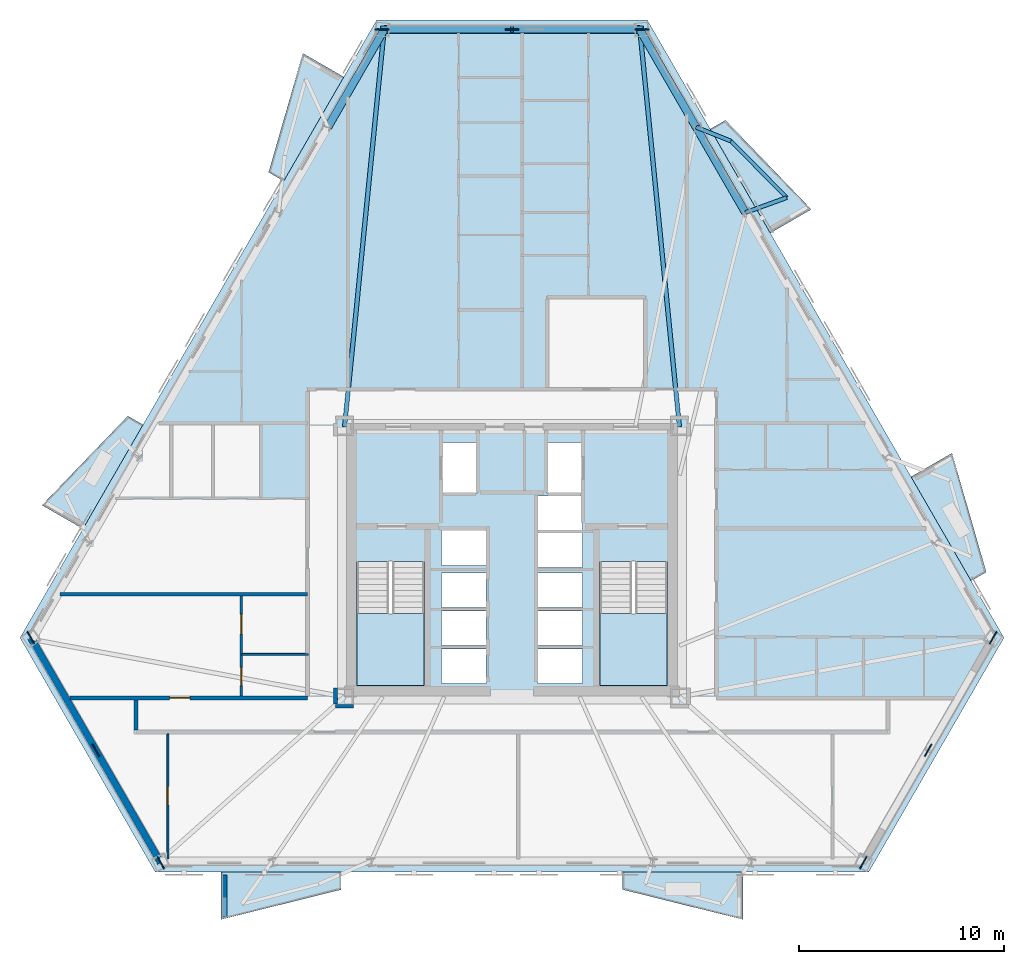
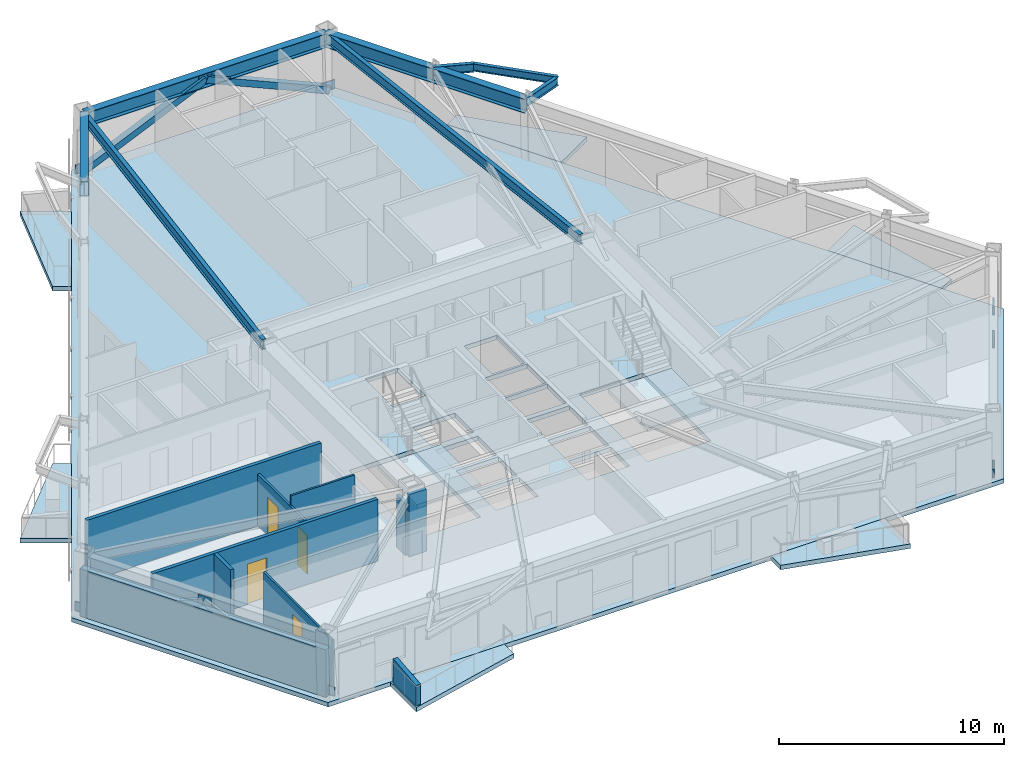
# One storey, part 2 of 11: 10 walls, 9 beams, 9 plates, 9 slabs, 4 doors, 2 members, 4 openings, 2 elements without a shape of their own.
"""IFC4 building model written with IfcOpenShell, lengths in metres."""

from ifc_helpers import new_model, si_unit, direction, frame, frame_2d, origin, origin_2d, place, context, subcontext, project, spatial, polyline, rectangle, hollow_rectangle, i_section, outline, extrude, material, layer, layer_set, material_profile, profile_set, type_object, element, fill, aggregate, save


model = new_model("IFC4")

# Units and contexts
model_context = context("Model", 3, precision=1e-05, world=origin(), true_north=direction((0.0, 1.0)))
body_context = subcontext(model_context, "Body", "Model", "MODEL_VIEW")
ifc_project = project(units=[si_unit("LENGTHUNIT", "METRE"), si_unit("AREAUNIT", "SQUARE_METRE"), si_unit("VOLUMEUNIT", "CUBIC_METRE"), si_unit("PLANEANGLEUNIT", "RADIAN"), si_unit("MASSUNIT", "GRAM", prefix="KILO")], contexts=[model_context])

# Site, building, storey
site_placement = place(None, origin())
site = spatial("IfcSite", under=ifc_project, at=site_placement, CompositionType="ELEMENT")
building_placement = place(site_placement, origin())
building = spatial("IfcBuilding", under=site, at=building_placement, Name="Oramaril Tower", CompositionType="ELEMENT")
storey_placement = place(building_placement, frame((0.0, 0.0, 86.10009765625)))
storey = spatial("IfcBuildingStorey", under=building, at=storey_placement, Name="L22", CompositionType="ELEMENT", Elevation=86.10009765625)

# Beams
ifc_material_1 = material(Name="Steel ASTM A572 Gr 50", Category="steel")
ifc_material_profile_1 = material_profile(ifc_material_1, i_section(OverallWidth=0.19091796875, OverallDepth=0.45703125, WebThickness=0.009033203125, FlangeThickness=0.014404296875, at=origin_2d()), Name="W18X50")
ifc_profile_set_1 = profile_set([ifc_material_profile_1], Name="Steel ASTM A572 Gr 50")
beam_type_1 = type_object("IfcBeamType", Name="BT-BB1", PredefinedType="BEAM", material=ifc_profile_set_1)
beam_1_placement = place(storey_placement, frame((48.86376953125, 34.576171875, 3.13134765625), z_axis=(0.940066163611, 0.3409920938, 0.0), x_axis=(-0.3409920938, 0.940066163611, 0.0)))
element("IfcBeam", 1, at=beam_1_placement, inside=storey, type_object=beam_type_1, Name="L22 Balcony Column-Framed Cantilever 04.1", PredefinedType="BEAM", context=body_context, shape_type="SweptSolid", body=[
    extrude(i_section(OverallWidth=0.19091796875, OverallDepth=0.45703125, WebThickness=0.009033203125, FlangeThickness=0.014404296875, at=origin_2d()), origin(), (0.0, 0.0, 1.0), 2.140869140625),
])
beam_2_placement = place(storey_placement, frame((46.464599609375, 38.731689453125, 3.13134765625), z_axis=(0.929095244804, -0.369840541427, 0.0), x_axis=(0.369840541427, 0.929095244804, 0.0)))
element("IfcBeam", 2, at=beam_2_placement, inside=storey, type_object=beam_type_1, Name="L22 Balcony Column-Framed Cantilever 04.2", PredefinedType="BEAM", context=body_context, shape_type="SweptSolid", body=[
    extrude(i_section(OverallWidth=0.19091796875, OverallDepth=0.45703125, WebThickness=0.009033203125, FlangeThickness=0.014404296875, at=origin_2d()), origin(), (0.0, 0.0, 1.0), 1.820068359375),
])
ifc_material_2 = material(Name="Steel ASTM A572 Gr 50", Category="steel")
ifc_material_profile_2 = material_profile(ifc_material_2, i_section(OverallWidth=0.2099609375, OverallDepth=0.535888671875, WebThickness=0.010986328125, FlangeThickness=0.017333984375, at=origin_2d()), Name="W21X68")
ifc_profile_set_2 = profile_set([ifc_material_profile_2], Name="Steel ASTM A572 Gr 50")
beam_type_2 = type_object("IfcBeamType", Name="BT-FB2", PredefinedType="BEAM", material=ifc_profile_set_2)
for number, where, z_axis, x_axis, name in (
    (3, (45.64990234375, 24.14990234375, 3.091796875), (-0.099217532618, 0.995065767284, 0.0), (-0.995065767284, -0.099217532618, 0.0), "L22 Radial Primary Beam RB-05"),
    (4, (29.35009765625, 24.14990234375, 3.091796875), (0.099217532618, 0.995065767284, 0.0), (-0.995065767284, 0.099217532618, 0.0), "L22 Radial Primary Beam RB-06"),
):
    element("IfcBeam", number, at=place(storey_placement, frame(where, z_axis=z_axis, x_axis=x_axis)), inside=storey, type_object=beam_type_2, Name=name, PredefinedType="BEAM", context=body_context, shape_type="SweptSolid", body=[
        extrude(i_section(OverallWidth=0.2099609375, OverallDepth=0.535888671875, WebThickness=0.010986328125, FlangeThickness=0.017333984375, at=origin_2d()), origin(), (0.0, 0.0, 1.0), 19.427001953125),
    ])
ifc_material_3 = material(Name="Steel ASTM A572 Gr 50", Category="steel")
ifc_material_profile_3 = material_profile(ifc_material_3, i_section(OverallWidth=0.177978515625, OverallDepth=0.404052734375, WebThickness=0.007568359375, FlangeThickness=0.010986328125, at=origin_2d()), Name="W16X36")
ifc_profile_set_3 = profile_set([ifc_material_profile_3], Name="Steel ASTM A572 Gr 50")
beam_type_3 = type_object("IfcBeamType", Name="BT-SB1", PredefinedType="BEAM", material=ifc_profile_set_3)
beam_3_placement = place(storey_placement, frame((50.876220703125, 35.30615234375, 3.157958984375), z_axis=(-0.702994511648, 0.71119527318, 0.0), x_axis=(-0.71119527318, -0.702994511648, 0.0)))
element("IfcBeam", 5, at=beam_3_placement, inside=storey, type_object=beam_type_3, Name="L22 Balcony Edge Tie Beam 04", PredefinedType="BEAM", context=body_context, shape_type="SweptSolid", body=[
    extrude(i_section(OverallWidth=0.177978515625, OverallDepth=0.404052734375, WebThickness=0.007568359375, FlangeThickness=0.010986328125, at=origin_2d()), origin(), (0.0, 0.0, 1.0), 3.8701171875),
])
ifc_material_4 = material(Name="Steel ASTM A572 Gr 50", Category="steel")
ifc_material_profile_4 = material_profile(ifc_material_4, i_section(OverallWidth=0.381103515625, OverallDepth=0.77197265625, WebThickness=0.0166015625, FlangeThickness=0.027099609375, at=origin_2d()), Name="W30X173")
ifc_profile_set_4 = profile_set([ifc_material_profile_4], Name="Steel ASTM A572 Gr 50")
beam_type_4 = type_object("IfcBeamType", Name="BT-SP2", PredefinedType="SPANDREL", material=ifc_profile_set_4)
beam_4_placement = place(storey_placement, frame((48.86376953125, 34.576171875, 2.973876953125), z_axis=(-0.499996987961, 0.866027142779, 0.0), x_axis=(-0.866027142779, -0.499996987961, 0.0)))
element("IfcBeam", 6, at=beam_4_placement, inside=storey, type_object=beam_type_4, Name="L22 Perimeter Spandrel 11", PredefinedType="SPANDREL", context=body_context, shape_type="SweptSolid", body=[
    extrude(i_section(OverallWidth=0.381103515625, OverallDepth=0.77197265625, WebThickness=0.0166015625, FlangeThickness=0.027099609375, at=origin_2d()), origin(), (0.0, 0.0, 1.0), 4.79833984375),
])
beam_5_placement = place(storey_placement, frame((46.464599609375, 38.731689453125, 2.973876953125), z_axis=(-0.500026884667, 0.866009881359, 0.0), x_axis=(-0.866009881359, -0.500026884667, 0.0)))
element("IfcBeam", 7, at=beam_5_placement, inside=storey, type_object=beam_type_4, Name="L22 Perimeter Spandrel 12", PredefinedType="SPANDREL", context=body_context, shape_type="SweptSolid", body=[
    extrude(i_section(OverallWidth=0.381103515625, OverallDepth=0.77197265625, WebThickness=0.0166015625, FlangeThickness=0.027099609375, at=origin_2d()), origin(), (0.0, 0.0, 1.0), 5.484130859375),
])
beam_6_placement = place(storey_placement, frame((43.722412109375, 43.48095703125, 2.973876953125), z_axis=(-1.0, 0.0, 0.0), x_axis=(0.0, -1.0, 0.0)))
element("IfcBeam", 8, at=beam_6_placement, inside=storey, type_object=beam_type_4, Name="L22 Perimeter Spandrel 13", PredefinedType="SPANDREL", context=body_context, shape_type="SweptSolid", body=[
    extrude(i_section(OverallWidth=0.381103515625, OverallDepth=0.77197265625, WebThickness=0.0166015625, FlangeThickness=0.027099609375, at=origin_2d()), origin(), (0.0, 0.0, 1.0), 12.44482421875),
])
beam_7_placement = place(storey_placement, frame((31.277587890625, 43.48095703125, 2.973876953125), z_axis=(-0.500026884667, -0.866009881359, 0.0), x_axis=(0.866009881359, -0.500026884667, 0.0)))
element("IfcBeam", 9, at=beam_7_placement, inside=storey, type_object=beam_type_4, Name="L22 Perimeter Spandrel 14", PredefinedType="SPANDREL", context=body_context, shape_type="SweptSolid", body=[
    extrude(i_section(OverallWidth=0.381103515625, OverallDepth=0.77197265625, WebThickness=0.0166015625, FlangeThickness=0.027099609375, at=origin_2d()), origin(), (0.0, 0.0, 1.0), 5.484130859375),
])

# Members
ifc_material_5 = material(Name="Steel ASTM A572 Gr 50", Category="steel")
ifc_material_profile_5 = material_profile(ifc_material_5, hollow_rectangle(XDim=0.35009765625, YDim=0.35009765625, WallThickness=0.01611328125, at=origin_2d()), Name="HSS350X350X16")
ifc_profile_set_5 = profile_set([ifc_material_profile_5], Name="Steel ASTM A572 Gr 50")
member_type = type_object("IfcMemberType", Name="MT-KB1", PredefinedType="BRACE", material=ifc_profile_set_5)
for number, where, z_axis, x_axis, name in (
    (10, (43.8212890625, 43.490478515625, 0.179931640625), (-0.914642865689, 0.0, 0.404262820753), (0.0, -1.0, 0.0), "L22 Perimeter Chevron Brace KB-3A"),
    (11, (31.1787109375, 43.490478515625, 0.179931640625), (0.914642865689, 0.0, 0.404262820753), (0.0, 1.0, 0.0), "L22 Perimeter Chevron Brace KB-3B"),
):
    element("IfcMember", number, at=place(storey_placement, frame(where, z_axis=z_axis, x_axis=x_axis)), inside=storey, type_object=member_type, Name=name, PredefinedType="BRACE", context=body_context, shape_type="SweptSolid", body=[
        extrude(hollow_rectangle(XDim=0.35009765625, YDim=0.35009765625, WallThickness=0.01611328125, at=origin_2d()), origin(), (0.0, 0.0, 1.0), 6.9111328125),
    ])

# Plates
ifc_material_6 = material(Name="Steel ASTM A572 Gr 50", Category="steel")
ifc_layer_1 = layer(ifc_material_6, 0.06005859375)
ifc_layer_set_1 = layer_set([ifc_layer_1], Name="PLT-G60")
plate_type = type_object("IfcPlateType", Name="PLT-G60", PredefinedType="USERDEFINED", material=ifc_layer_set_1)
for number, where, z_axis, x_axis, name in (
    (12, (17.243408203125, 8.40478515625, 2.73388671875), (0.0, 0.0, 1.0), (0.499996976998, -0.866027149108, 0.0), "L22 Chevron Brace Gusset Plate BN-1"),
    (13, (14.082763671875, 13.87939453125, 0.099853515625), (0.0, 0.0, 1.0), (0.499996976998, -0.866027149108, 0.0), "L22 Chevron Brace Gusset Plate BN-1"),
    (14, (20.404052734375, 2.930419921875, 0.099853515625), (0.0, 0.0, 1.0), (0.499996976998, -0.866027149108, 0.0), "L22 Chevron Brace Gusset Plate BN-1"),
    (15, (57.756591796875, 8.40478515625, 2.73388671875), (0.0, 0.0, 1.0), (0.499996976998, 0.866027149108, 0.0), "L22 Chevron Brace Gusset Plate BN-1"),
    (16, (54.595947265625, 2.930419921875, 0.099853515625), (0.0, 0.0, 1.0), (0.499996976998, 0.866027149108, 0.0), "L22 Chevron Brace Gusset Plate BN-1"),
    (17, (60.917236328125, 13.87939453125, 0.099853515625), (0.0, 0.0, 1.0), (0.499996976998, 0.866027149108, 0.0), "L22 Chevron Brace Gusset Plate BN-1"),
    (18, (37.5, 43.490478515625, 2.73388671875), (0.0, 0.0, 1.0), (-1.0, 0.0, 0.0), "L22 Chevron Brace Gusset Plate BN-1"),
    (19, (43.8212890625, 43.490478515625, 0.099853515625), (0.0, 0.0, 1.0), (-1.0, 0.0, 0.0), "L22 Chevron Brace Gusset Plate BN-1"),
    (20, (31.1787109375, 43.490478515625, 0.099853515625), (0.0, 0.0, 1.0), (-1.0, 0.0, 0.0), "L22 Chevron Brace Gusset Plate BN-1"),
):
    element("IfcPlate", number, at=place(storey_placement, frame(where, z_axis=z_axis, x_axis=x_axis)), inside=storey, type_object=plate_type, Name=name, ObjectType="GUSSET", PredefinedType="USERDEFINED", context=body_context, shape_type="SweptSolid", body=[
        extrude(rectangle(XDim=0.679931640625, YDim=0.06005859375, at=origin_2d()), origin(), (0.0, 0.0, 1.0), 0.47998046875),
    ])

# Slabs
ifc_material_7 = material(Name="Concrete C40/50", Category="concrete")
ifc_layer_2 = layer(ifc_material_7, 0.199951171875)
ifc_layer_set_2 = layer_set([ifc_layer_2], Name="SLT-BAL20")
slab_type_1 = type_object("IfcSlabType", Name="SLT-BAL20", PredefinedType="FLOOR", material=ifc_layer_set_2)
slab_1_placement = place(storey_placement, frame((0.0, 0.0, -0.239990234375)))
element("IfcSlab", 21, at=slab_1_placement, inside=storey, type_object=slab_type_1, Name="L22 Cantilevered Balcony Slab L22-BAL-S1", PredefinedType="FLOOR", context=body_context, shape_type="SweptSolid", body=[
    extrude(outline(polyline([(23.33837890625, 2.472412109375), (29.1884765625, 2.472412109375), (29.1884765625, 1.620361328125), (23.33837890625, 0.17041015625), (23.33837890625, 2.472412109375)])), origin(), (0.0, 0.0, 1.0), 0.239990234375),
])
slab_2_placement = place(storey_placement, frame((0.0, 0.0, -0.239990234375)))
element("IfcSlab", 22, at=slab_2_placement, inside=storey, type_object=slab_type_1, Name="L22 Cantilevered Balcony Slab L22-BAL-NE2", PredefinedType="FLOOR", context=body_context, shape_type="SweptSolid", body=[
    extrude(outline(polyline([(50.07275390625, 33.578857421875), (47.147705078125, 38.64501953125), (47.885498046875, 39.071044921875), (52.06640625, 34.729736328125), (50.07275390625, 33.578857421875)])), origin(), (0.0, 0.0, 1.0), 0.239990234375),
])
slab_3_placement = place(storey_placement, frame((0.0, 0.0, -0.239990234375)))
element("IfcSlab", 23, at=slab_3_placement, inside=storey, type_object=slab_type_1, Name="L22 Cantilevered Balcony Slab L22-BAL-NW1", PredefinedType="FLOOR", context=body_context, shape_type="SweptSolid", body=[
    extrude(outline(polyline([(29.314697265625, 41.177978515625), (26.389892578125, 36.11181640625), (25.652099609375, 36.537841796875), (27.3212890625, 42.3291015625), (29.314697265625, 41.177978515625)])), origin(), (0.0, 0.0, 1.0), 0.239990234375),
])
ifc_material_8 = material(Name="Concrete C50/60", Category="concrete")
ifc_layer_3 = layer(ifc_material_8, 0.239990234375)
ifc_layer_set_3 = layer_set([ifc_layer_3], Name="SLT-FLR24")
slab_type_2 = type_object("IfcSlabType", Name="SLT-FLR24", PredefinedType="FLOOR", material=ifc_layer_set_3)
slab_4_placement = place(storey_placement, frame((0.0, 0.0, -0.239990234375)))
element("IfcSlab", 24, at=slab_4_placement, inside=storey, type_object=slab_type_2, Name="L22 Structural Floor Slab", PredefinedType="FLOOR", context=body_context, shape_type="SweptSolid", body=[
    extrude(outline(polyline([(13.551513671875, 13.87939453125), (20.138427734375, 2.470458984375), (54.861572265625, 2.470458984375), (61.448486328125, 13.87939453125), (44.0869140625, 43.950439453125), (30.9130859375, 43.950439453125), (13.551513671875, 13.87939453125)]), holes=[polyline([(29.949951171875, 17.58935546875), (29.949951171875, 11.550048828125), (33.219970703125, 11.550048828125), (33.219970703125, 17.58935546875), (29.949951171875, 17.58935546875)]), polyline([(41.780029296875, 17.58935546875), (41.780029296875, 11.550048828125), (45.050048828125, 11.550048828125), (45.050048828125, 17.58935546875), (41.780029296875, 17.58935546875)]), polyline([(34.110107421875, 20.909912109375), (35.7900390625, 20.909912109375), (35.7900390625, 23.389892578125), (34.110107421875, 23.389892578125), (34.110107421875, 20.909912109375)]), polyline([(39.2099609375, 20.909912109375), (40.889892578125, 20.909912109375), (40.889892578125, 23.389892578125), (39.2099609375, 23.389892578125), (39.2099609375, 20.909912109375)]), polyline([(34.06005859375, 11.659912109375), (36.239990234375, 11.659912109375), (36.239990234375, 13.340087890625), (34.06005859375, 13.340087890625), (34.06005859375, 11.659912109375)]), polyline([(34.06005859375, 13.510009765625), (36.239990234375, 13.510009765625), (36.239990234375, 15.18994140625), (34.06005859375, 15.18994140625), (34.06005859375, 13.510009765625)]), polyline([(34.06005859375, 15.360107421875), (36.239990234375, 15.360107421875), (36.239990234375, 17.0400390625), (34.06005859375, 17.0400390625), (34.06005859375, 15.360107421875)]), polyline([(38.760009765625, 11.659912109375), (40.93994140625, 11.659912109375), (40.93994140625, 13.340087890625), (38.760009765625, 13.340087890625), (38.760009765625, 11.659912109375)]), polyline([(38.760009765625, 13.510009765625), (40.93994140625, 13.510009765625), (40.93994140625, 15.18994140625), (38.760009765625, 15.18994140625), (38.760009765625, 13.510009765625)]), polyline([(38.760009765625, 15.360107421875), (40.93994140625, 15.360107421875), (40.93994140625, 17.0400390625), (38.760009765625, 17.0400390625), (38.760009765625, 15.360107421875)]), polyline([(34.06005859375, 17.409912109375), (36.239990234375, 17.409912109375), (36.239990234375, 19.090087890625), (34.06005859375, 19.090087890625), (34.06005859375, 17.409912109375)]), polyline([(38.760009765625, 17.31005859375), (40.93994140625, 17.31005859375), (40.93994140625, 18.989990234375), (38.760009765625, 18.989990234375), (38.760009765625, 17.31005859375)]), polyline([(38.760009765625, 19.110107421875), (40.93994140625, 19.110107421875), (40.93994140625, 20.7900390625), (38.760009765625, 20.7900390625), (38.760009765625, 19.110107421875)])]), origin(), (0.0, 0.0, 1.0), 0.239990234375),
])

# Stair, slab
ifc_material_9 = material(Name="Concrete C50/60", Category="concrete")
stair_type = type_object("IfcStairType", Name="STT-DG-3600", PredefinedType="HALF_TURN_STAIR", material=ifc_material_9)
stair_1_placement = place(storey_placement, origin())
stair_1 = element("IfcStair", 25, at=stair_1_placement, inside=storey, type_object=stair_type, Name="L22 Protected PFP Exit Stair ST-1", PredefinedType="HALF_TURN_STAIR")
ifc_material_10 = material(Name="Concrete C50/60", Category="concrete")
ifc_layer_4 = layer(ifc_material_10, 0.199951171875)
ifc_layer_set_4 = layer_set([ifc_layer_4], Name="SLT-LND20")
slab_type_3 = type_object("IfcSlabType", Name="SLT-LND20", PredefinedType="LANDING", material=ifc_layer_set_4)
slab_5_placement = place(storey_placement, frame((0.0, 0.0, 1.599853515625)))
slab_5 = element("IfcSlab", 26, at=slab_5_placement, type_object=slab_type_3, Name="ST-1 landing 1", PredefinedType="LANDING", context=body_context, shape_type="SweptSolid", body=[
    extrude(outline(polyline([(29.949951171875, 15.070068359375), (29.949951171875, 11.550048828125), (33.219970703125, 11.550048828125), (33.219970703125, 15.070068359375), (29.949951171875, 15.070068359375)])), origin(), (0.0, 0.0, 1.0), 0.199951171875),
])
aggregate(stair_1, [slab_5])

stair_2_placement = place(storey_placement, origin())
stair_2 = element("IfcStair", 27, at=stair_2_placement, inside=storey, type_object=stair_type, Name="L22 Protected PFP Exit Stair ST-2", PredefinedType="HALF_TURN_STAIR")
slab_6_placement = place(storey_placement, frame((0.0, 0.0, 1.599853515625)))
slab_6 = element("IfcSlab", 28, at=slab_6_placement, type_object=slab_type_3, Name="ST-2 landing 1", PredefinedType="LANDING", context=body_context, shape_type="SweptSolid", body=[
    extrude(outline(polyline([(41.780029296875, 15.070068359375), (41.780029296875, 11.550048828125), (45.050048828125, 11.550048828125), (45.050048828125, 15.070068359375), (41.780029296875, 15.070068359375)])), origin(), (0.0, 0.0, 1.0), 0.199951171875),
])
aggregate(stair_2, [slab_6])

# Slabs
ifc_material_11 = material(Name="Concrete C40/50", Category="concrete")
ifc_layer_5 = layer(ifc_material_11, 0.18994140625)
ifc_layer_set_5 = layer_set([ifc_layer_5], Name="SLT-PLN19")
slab_type_4 = type_object("IfcSlabType", Name="SLT-PLN19", PredefinedType="FLOOR", material=ifc_layer_set_5)
slab_7_placement = place(storey_placement, frame((0.0, 0.0, -0.239990234375)))
element("IfcSlab", 29, at=slab_7_placement, inside=storey, type_object=slab_type_4, Name="L22 Tree Planter Balcony Slab L22-BAL-S2", PredefinedType="FLOOR", context=body_context, shape_type="SweptSolid", body=[
    extrude(outline(polyline([(42.88671875, 2.472412109375), (48.736572265625, 2.472412109375), (48.736572265625, 0.17041015625), (42.88671875, 1.620361328125), (42.88671875, 2.472412109375)])), origin(), (0.0, 0.0, 1.0), 0.239990234375),
])
slab_8_placement = place(storey_placement, frame((0.0, 0.0, -0.239990234375)))
element("IfcSlab", 30, at=slab_8_placement, inside=storey, type_object=slab_type_4, Name="L22 Tree Planter Balcony Slab L22-BAL-NE1", PredefinedType="FLOOR", context=body_context, shape_type="SweptSolid", body=[
    extrude(outline(polyline([(59.8466796875, 16.649658203125), (56.921875, 21.7158203125), (58.915283203125, 22.86669921875), (60.584716796875, 17.07568359375), (59.8466796875, 16.649658203125)])), origin(), (0.0, 0.0, 1.0), 0.239990234375),
])
slab_9_placement = place(storey_placement, frame((0.0, 0.0, -0.239990234375)))
element("IfcSlab", 31, at=slab_9_placement, inside=storey, type_object=slab_type_4, Name="L22 Tree Planter Balcony Slab L22-BAL-NW2", PredefinedType="FLOOR", context=body_context, shape_type="SweptSolid", body=[
    extrude(outline(polyline([(19.540771484375, 24.248779296875), (16.61572265625, 19.1826171875), (14.6220703125, 20.333740234375), (18.802978515625, 24.6748046875), (19.540771484375, 24.248779296875)])), origin(), (0.0, 0.0, 1.0), 0.239990234375),
])

# Walls
ifc_material_12 = material(Name="Warm Cream Limestone", Category="masonry")
ifc_layer_6 = layer(ifc_material_12, 0.340087890625)
ifc_layer_set_6 = layer_set([ifc_layer_6], Name="WT-EXT34")
wall_type_1 = type_object("IfcWallType", Name="WT-EXT34", PredefinedType="SOLIDWALL", material=ifc_layer_set_6)
wall_1_placement = place(storey_placement, frame((14.082763671875, 13.87939453125, 0.0), z_axis=(0.0, 0.0, 1.0), x_axis=(0.499993808156, -0.866028978618, 0.0)))
element("IfcWall", 32, at=wall_1_placement, inside=storey, type_object=wall_type_1, Name="L22 Tower Limestone Facade Wall 1M", PredefinedType="SOLIDWALL", context=body_context, shape_type="SweptSolid", body=[
    extrude(rectangle(XDim=12.642822265625, YDim=0.340087890625, at=frame_2d((6.3212890625, 0.0))), origin(), (0.0, 0.0, 1.0), 2.577880859375),
])
ifc_material_13 = material(Name="Concrete C40/50", Category="concrete")
ifc_layer_7 = layer(ifc_material_13, 0.22998046875)
ifc_layer_set_7 = layer_set([ifc_layer_7], Name="WT-PRP23")
wall_type_2 = type_object("IfcWallType", Name="WT-PRP23", PredefinedType="PARAPET", material=ifc_layer_set_7)
wall_2_placement = place(storey_placement, frame((23.518310546875, 2.33251953125, 0.0), z_axis=(0.0, 0.0, 1.0), x_axis=(0.0, -1.0, 0.0)))
element("IfcWall", 33, at=wall_2_placement, inside=storey, type_object=wall_type_2, Name="L22 Trapezoidal Balcony Frame Cheek L22-BAL-S1-L", PredefinedType="PARAPET", context=body_context, shape_type="SweptSolid", body=[
    extrude(outline(polyline([(0.0, 0.0), (2.042236328125, 0.0), (2.0419921875, 1.099853515625), (0.0, 1.31982421875), (0.0, 0.0)])), frame((0.0, 0.114990234375, 0.0), z_axis=(0.0, -1.0, 0.0), x_axis=(1.0, 0.0, 0.0)), (0.0, 0.0, 1.0), 0.22998046875),
])
ifc_material_14 = material(Name="Acoustic Gypsum Board Partition")
ifc_layer_8 = layer(ifc_material_14, 0.10009765625)
ifc_layer_set_8 = layer_set([ifc_layer_8], Name="WT-PT10")
wall_type_3 = type_object("IfcWallType", Name="WT-PT10", PredefinedType="PARTITIONING", material=ifc_layer_set_8)
wall_3_placement = place(storey_placement, frame((24.330078125, 13.070068359375, 0.0), z_axis=(0.0, 0.0, 1.0), x_axis=(1.0, 0.0, 0.0)))
element("IfcWall", 34, at=wall_3_placement, inside=storey, type_object=wall_type_3, Name="L22 Interior Partition PT-10", PredefinedType="PARTITIONING", context=body_context, shape_type="SweptSolid", body=[
    extrude(rectangle(XDim=3.27001953125, YDim=0.10009765625, at=frame_2d((1.635009765625, 0.0))), origin(), (0.0, 0.0, 1.0), 3.35986328125),
])

# Wall, opening, door
wall_4_placement = place(storey_placement, frame((20.75, 3.1044921875, 0.0), z_axis=(0.0, 0.0, 1.0), x_axis=(0.0, 1.0, 0.0)))
wall_4 = element("IfcWall", 35, at=wall_4_placement, inside=storey, type_object=wall_type_3, Name="L22 Interior Partition PT-10", PredefinedType="PARTITIONING", context=body_context, shape_type="SweptSolid", body=[
    extrude(rectangle(XDim=6.1015625, YDim=0.10009765625, at=frame_2d((3.05078125, 0.0))), origin(), (0.0, 0.0, 1.0), 2.81396484375),
])
opening_1_placement = place(wall_4_placement, frame((2.645751953125, 0.0, 0.0)))
opening_1 = element("IfcOpeningElement", 36, at=opening_1_placement, cuts=wall_4, Name="Opening D-L22-20", PredefinedType="OPENING", context=body_context, shape_type="SweptSolid", body=[
    extrude(rectangle(XDim=0.8798828125, YDim=2.080078125, at=frame_2d((0.43994140625, 1.0400390625))), frame((0.0, 0.050048828125, 0.0), z_axis=(0.0, -1.0, 0.0), x_axis=(1.0, 0.0, 0.0)), (0.0, 0.0, 1.0), 0.10009765625),
])
ifc_material_15 = material(Name="FSC Brazilian Freijo Hardwood", Category="wood")
door_type_1 = type_object("IfcDoorType", Name="DT-BATH", OperationType="NOTDEFINED", PredefinedType="DOOR", material=ifc_material_15)
door_1_placement = place(opening_1_placement, origin())
door_1 = element("IfcDoor", 37, at=door_1_placement, inside=storey, type_object=door_type_1, Name="L22 Flat L22-U1 Bathroom Door D-L22-20", OperationType="SINGLE_SWING_RIGHT", OverallHeight=2.080078125, OverallWidth=0.8798828125, PredefinedType="DOOR", context=body_context, shape_type="SweptSolid", body=[
    extrude(rectangle(XDim=0.8798828125, YDim=2.080078125, at=frame_2d((0.43994140625, 1.0400390625))), frame((0.0, 0.02490234375, 0.0), z_axis=(0.0, -1.0, 0.0), x_axis=(1.0, 0.0, 0.0)), (0.0, 0.0, 1.0), 0.050048828125),
])
fill(opening_1, door_1)

# Wall, openings, doors
ifc_material_16 = material(Name="Acoustic Gypsum Board Partition")
ifc_layer_9 = layer(ifc_material_16, 0.1201171875)
ifc_layer_set_9 = layer_set([ifc_layer_9], Name="WT-PT12")
wall_type_4 = type_object("IfcWallType", Name="WT-PT12", PredefinedType="PARTITIONING", material=ifc_layer_set_9)
wall_5_placement = place(storey_placement, frame((24.330078125, 11.0439453125, 0.0), z_axis=(0.0, 0.0, 1.0), x_axis=(0.0, 1.0, 0.0)))
wall_5 = element("IfcWall", 38, at=wall_5_placement, inside=storey, type_object=wall_type_4, Name="L22 Interior Partition PT-12", PredefinedType="PARTITIONING", context=body_context, shape_type="SweptSolid", body=[
    extrude(rectangle(XDim=4.862060546875, YDim=0.1201171875, at=frame_2d((2.43115234375, 0.0))), origin(), (0.0, 0.0, 1.0), 2.81396484375),
])
opening_2_placement = place(wall_5_placement, frame((0.5107421875, 0.0, 0.0)))
opening_2 = element("IfcOpeningElement", 39, at=opening_2_placement, cuts=wall_5, Name="Opening D-L22-21", PredefinedType="OPENING", context=body_context, shape_type="SweptSolid", body=[
    extrude(rectangle(XDim=0.8798828125, YDim=2.080078125, at=frame_2d((0.43994140625, 1.0400390625))), frame((0.0, 0.06005859375, 0.0), z_axis=(0.0, -1.0, 0.0), x_axis=(1.0, 0.0, 0.0)), (0.0, 0.0, 1.0), 0.1201171875),
])
opening_3_placement = place(wall_5_placement, frame((3.03076171875, 0.0, 0.0)))
opening_3 = element("IfcOpeningElement", 40, at=opening_3_placement, cuts=wall_5, Name="Opening D-L22-22", PredefinedType="OPENING", context=body_context, shape_type="SweptSolid", body=[
    extrude(rectangle(XDim=0.949951171875, YDim=2.10009765625, at=frame_2d((0.47509765625, 1.050048828125))), frame((0.0, 0.06005859375, 0.0), z_axis=(0.0, -1.0, 0.0), x_axis=(1.0, 0.0, 0.0)), (0.0, 0.0, 1.0), 0.1201171875),
])
door_2_placement = place(opening_2_placement, origin())
door_2 = element("IfcDoor", 41, at=door_2_placement, inside=storey, type_object=door_type_1, Name="L22 Flat L22-U3 Bathroom Door D-L22-21", OperationType="SINGLE_SWING_LEFT", OverallHeight=2.080078125, OverallWidth=0.8798828125, PredefinedType="DOOR", context=body_context, shape_type="SweptSolid", body=[
    extrude(rectangle(XDim=0.8798828125, YDim=2.080078125, at=frame_2d((0.43994140625, 1.0400390625))), frame((0.0, 0.02490234375, 0.0), z_axis=(0.0, -1.0, 0.0), x_axis=(1.0, 0.0, 0.0)), (0.0, 0.0, 1.0), 0.050048828125),
])
fill(opening_2, door_2)
ifc_material_17 = material(Name="FSC Brazilian Freijo Hardwood", Category="wood")
door_type_2 = type_object("IfcDoorType", Name="DT-STDY", OperationType="NOTDEFINED", PredefinedType="DOOR", material=ifc_material_17)
door_3_placement = place(opening_3_placement, origin())
door_3 = element("IfcDoor", 42, at=door_3_placement, inside=storey, type_object=door_type_2, Name="L22 Flat L22-U3 Kitchen Door D-L22-22", OperationType="SINGLE_SWING_RIGHT", OverallHeight=2.10009765625, OverallWidth=0.949951171875, PredefinedType="DOOR", context=body_context, shape_type="SweptSolid", body=[
    extrude(rectangle(XDim=0.949951171875, YDim=2.10009765625, at=frame_2d((0.47509765625, 1.050048828125))), frame((0.0, 0.02490234375, 0.0), z_axis=(0.0, -1.0, 0.0), x_axis=(1.0, 0.0, 0.0)), (0.0, 0.0, 1.0), 0.050048828125),
])
fill(opening_3, door_3)

# Wall
ifc_material_18 = material(Name="Autoclaved Cellular Concrete Block", Category="concrete")
ifc_layer_10 = layer(ifc_material_18, 0.179931640625)
ifc_layer_set_10 = layer_set([ifc_layer_10], Name="WT-PT18")
wall_type_5 = type_object("IfcWallType", Name="WT-PT18", PredefinedType="PARTITIONING", material=ifc_layer_set_10)
wall_6_placement = place(storey_placement, frame((28.905029296875, 10.550048828125, 0.0), z_axis=(0.0, 0.0, 1.0), x_axis=(1.0, 0.0, 0.0)))
element("IfcWall", 43, at=wall_6_placement, inside=storey, type_object=wall_type_5, Name="L22 Interior Partition PT-18", PredefinedType="PARTITIONING", context=body_context, shape_type="SweptSolid", body=[
    extrude(rectangle(XDim=0.889892578125, YDim=0.179931640625, at=frame_2d((0.44482421875, 0.0))), origin(), (0.0, 0.0, 1.0), 3.35986328125),
])

# Wall, opening, door
wall_7_placement = place(storey_placement, frame((15.974853515625, 10.949951171875, 0.0), z_axis=(0.0, 0.0, 1.0), x_axis=(1.0, 0.0, 0.0)))
wall_7 = element("IfcWall", 44, at=wall_7_placement, inside=storey, type_object=wall_type_5, Name="L22 Interior Partition PT-18", PredefinedType="PARTITIONING", context=body_context, shape_type="SweptSolid", body=[
    extrude(rectangle(XDim=11.5751953125, YDim=0.179931640625, at=frame_2d((5.78759765625, 0.0))), origin(), (0.0, 0.0, 1.0), 3.35986328125),
])
opening_4_placement = place(wall_7_placement, frame((4.862060546875, 0.0, 0.0)))
opening_4 = element("IfcOpeningElement", 45, at=opening_4_placement, cuts=wall_7, Name="Opening D-L22-03", PredefinedType="OPENING", context=body_context, shape_type="SweptSolid", body=[
    extrude(rectangle(XDim=1.0, YDim=2.179931640625, at=frame_2d((0.5, 1.08984375))), frame((0.0, 0.08984375, 0.0), z_axis=(0.0, -1.0, 0.0), x_axis=(1.0, 0.0, 0.0)), (0.0, 0.0, 1.0), 0.179931640625),
])
ifc_material_19 = material(Name="FSC Brazilian Freijo Hardwood", Category="wood")
door_type_3 = type_object("IfcDoorType", Name="DT-APT", OperationType="NOTDEFINED", PredefinedType="DOOR", material=ifc_material_19)
door_4_placement = place(opening_4_placement, origin())
door_4 = element("IfcDoor", 46, at=door_4_placement, inside=storey, type_object=door_type_3, Name="L22 Flat L22-U3 Studio Apartment Door D-L22-03", OperationType="SINGLE_SWING_LEFT", OverallHeight=2.179931640625, OverallWidth=1.0, PredefinedType="DOOR", context=body_context, shape_type="SweptSolid", body=[
    extrude(rectangle(XDim=1.0, YDim=2.179931640625, at=frame_2d((0.5, 1.08984375))), frame((0.0, 0.02490234375, 0.0), z_axis=(0.0, -1.0, 0.0), x_axis=(1.0, 0.0, 0.0)), (0.0, 0.0, 1.0), 0.050048828125),
])
fill(opening_4, door_4)

# Walls
wall_8_placement = place(storey_placement, frame((15.508056640625, 16.0, 0.0), z_axis=(0.0, 0.0, 1.0), x_axis=(1.0, 0.0, 0.0)))
element("IfcWall", 47, at=wall_8_placement, inside=storey, type_object=wall_type_5, Name="L22 Interior Partition PT-18", PredefinedType="PARTITIONING", context=body_context, shape_type="SweptSolid", body=[
    extrude(rectangle(XDim=12.0419921875, YDim=0.179931640625, at=frame_2d((6.02099609375, 0.0))), origin(), (0.0, 0.0, 1.0), 3.35986328125),
])
wall_9_placement = place(storey_placement, frame((19.199951171875, 9.39404296875, 0.0), z_axis=(0.0, 0.0, 1.0), x_axis=(0.0, 1.0, 0.0)))
element("IfcWall", 48, at=wall_9_placement, inside=storey, type_object=wall_type_5, Name="L22 Interior Partition PT-18", PredefinedType="PARTITIONING", context=body_context, shape_type="SweptSolid", body=[
    extrude(rectangle(XDim=1.4619140625, YDim=0.179931640625, at=frame_2d((0.73095703125, 0.0))), origin(), (0.0, 0.0, 1.0), 3.35986328125),
])
wall_10_placement = place(storey_placement, frame((28.909912109375, 10.64404296875, 0.0), z_axis=(0.0, 0.0, 1.0), x_axis=(0.0, 1.0, 0.0)))
element("IfcWall", 49, at=wall_10_placement, inside=storey, type_object=wall_type_5, Name="L22 Interior Partition PT-18", PredefinedType="PARTITIONING", context=body_context, shape_type="SweptSolid", body=[
    extrude(rectangle(XDim=0.7958984375, YDim=0.179931640625, at=frame_2d((0.39794921875, 0.0))), origin(), (0.0, 0.0, 1.0), 2.81396484375),
])

save(model, "model.ifc")
